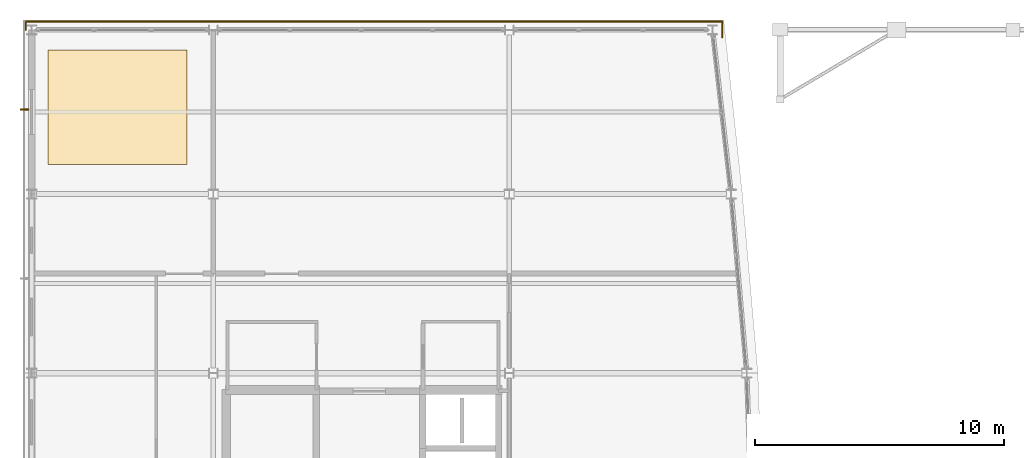
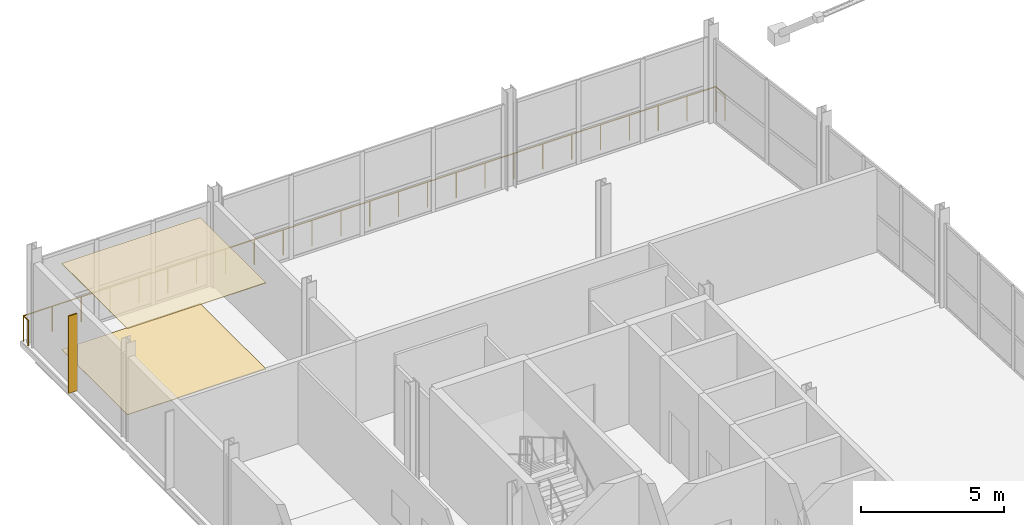
# One storey, part 59 of 60: 2 coverings, 1 railing, 1 shading device.
"""IFC4 building model written with IfcOpenShell, lengths in metres."""

from ifc_helpers import new_model, si_unit, direction, frame, origin, origin_2d, place, context, subcontext, project, spatial, polyline, rectangle, circle, outline, extrude, material, layer, layer_set, type_object, element, save


model = new_model("IFC4")

# Units and contexts
model_context = context("Model", 3, precision=1e-05, world=origin(), true_north=direction((0.0, 1.0)))
body_context = subcontext(model_context, "Body", "Model", "MODEL_VIEW")
ifc_project = project(units=[si_unit("LENGTHUNIT", "METRE"), si_unit("AREAUNIT", "SQUARE_METRE"), si_unit("VOLUMEUNIT", "CUBIC_METRE"), si_unit("PLANEANGLEUNIT", "RADIAN"), si_unit("MASSUNIT", "GRAM", prefix="KILO")], contexts=[model_context])

# Site, building, storey
site_placement = place(None, origin())
site = spatial("IfcSite", under=ifc_project, at=site_placement, CompositionType="ELEMENT")
building_placement = place(site_placement, origin())
building = spatial("IfcBuilding", under=site, at=building_placement, Name="Quillay Park Conservatory", CompositionType="ELEMENT")
storey_placement = place(building_placement, frame((0.0, 0.0, 9.89990234375)))
storey = spatial("IfcBuildingStorey", under=building, at=storey_placement, Name="L02", CompositionType="ELEMENT", Elevation=9.89990234375)

# Coverings
ifc_material_1 = material(Name="Perforated Mineral-Fibre Acoustic Ceiling")
ifc_layer_1 = layer(ifc_material_1, 0.02490234375)
ifc_layer_set_1 = layer_set([ifc_layer_1], Name="ACOUSTIC MINERAL CEILING 25 (Perforated Mineral-Fibre Acoustic Ceiling)")
covering_type_1 = type_object("IfcCoveringType", Name="ACOUSTIC MINERAL CEILING 25", PredefinedType="CEILING", material=ifc_layer_set_1)
covering_1_placement = place(storey_placement, frame((0.0, 0.0, 3.677001953125)))
element("IfcCovering", 1, at=covering_1_placement, inside=storey, type_object=covering_type_1, Name="L02 Suspended Acoustic Ceiling", PredefinedType="CEILING", context=body_context, shape_type="SweptSolid", body=[
    extrude(outline(polyline([(1.199951171875, 108.0), (6.800048828125, 108.0), (6.800048828125, 112.60009765625), (1.199951171875, 112.60009765625), (1.199951171875, 108.0)])), origin(), (0.0, 0.0, 1.0), 0.025146484375),
])
ifc_material_2 = material(Name="Polished Andean Aggregate Terrazzo Flooring")
ifc_layer_2 = layer(ifc_material_2, 0.02197265625)
ifc_layer_set_2 = layer_set([ifc_layer_2], Name="ANDEAN TERRAZZO FLOORING 22 (Polished Andean Aggregate Terrazzo Flooring)")
covering_type_2 = type_object("IfcCoveringType", Name="ANDEAN TERRAZZO FLOORING 22", PredefinedType="FLOORING", material=ifc_layer_set_2)
covering_2_placement = place(storey_placement, origin())
element("IfcCovering", 2, at=covering_2_placement, inside=storey, type_object=covering_type_2, Name="L02 Interior Flooring Finish", PredefinedType="FLOORING", context=body_context, shape_type="SweptSolid", body=[
    extrude(outline(polyline([(1.199951171875, 108.0), (6.800048828125, 108.0), (6.800048828125, 112.60009765625), (1.199951171875, 112.60009765625), (1.199951171875, 108.0)])), origin(), (0.0, 0.0, 1.0), 0.022216796875),
])

# Railing
ifc_material_3 = material(Name="Steel S355J2H", Category="steel")
railing_type = type_object("IfcRailingType", Name="TERRACE PERIMETER GUARDRAIL 1100", PredefinedType="GUARDRAIL", material=ifc_material_3)
railing_placement = place(storey_placement, frame((0.31005859375, 113.39990234375, 0.0)))
element("IfcRailing", 3, at=railing_placement, inside=storey, type_object=railing_type, Name="L02 Perimeter Safety Guardrail 022", PredefinedType="GUARDRAIL", context=body_context, shape_type="SweptSolid", body=[
    extrude(circle(Radius=0.02392578125, at=origin_2d()), frame((0.0, 0.0, 1.076171875), z_axis=(0.0, 1.0, 0.0), x_axis=(-1.0, 0.0, 0.0)), (0.0, 0.0, 1.0), 0.340087890625),
    extrude(circle(Radius=0.02392578125, at=origin_2d()), frame((0.0, 0.340087890625, 1.076171875), z_axis=(1.0, 0.0, 0.0), x_axis=(0.0, 1.0, 0.0)), (0.0, 0.0, 1.0), 28.0048828125),
    extrude(circle(Radius=0.02392578125, at=origin_2d()), frame((28.0048828125, 0.340087890625, 1.076171875), z_axis=(0.0, -1.0, 0.0), x_axis=(1.0, 0.0, 0.0)), (0.0, 0.0, 1.0), 0.639892578125),
    extrude(circle(Radius=0.02099609375, at=origin_2d()), origin(), (0.0, 0.0, 1.0), 1.052001953125),
    extrude(circle(Radius=0.02099609375, at=origin_2d()), frame((0.0, 0.340087890625, 0.0)), (0.0, 0.0, 1.0), 1.052001953125),
    extrude(circle(Radius=0.02099609375, at=origin_2d()), frame((1.1669921875, 0.340087890625, 0.0)), (0.0, 0.0, 1.0), 1.052001953125),
    extrude(circle(Radius=0.02099609375, at=origin_2d()), frame((2.333740234375, 0.340087890625, 0.0)), (0.0, 0.0, 1.0), 1.052001953125),
    extrude(circle(Radius=0.02099609375, at=origin_2d()), frame((3.50048828125, 0.340087890625, 0.0)), (0.0, 0.0, 1.0), 1.052001953125),
    extrude(circle(Radius=0.02099609375, at=origin_2d()), frame((4.66748046875, 0.340087890625, 0.0)), (0.0, 0.0, 1.0), 1.052001953125),
    extrude(circle(Radius=0.02099609375, at=origin_2d()), frame((5.83447265625, 0.340087890625, 0.0)), (0.0, 0.0, 1.0), 1.052001953125),
    extrude(circle(Radius=0.02099609375, at=origin_2d()), frame((7.001220703125, 0.340087890625, 0.0)), (0.0, 0.0, 1.0), 1.052001953125),
    extrude(circle(Radius=0.02099609375, at=origin_2d()), frame((8.16796875, 0.340087890625, 0.0)), (0.0, 0.0, 1.0), 1.052001953125),
    extrude(circle(Radius=0.02099609375, at=origin_2d()), frame((9.3349609375, 0.340087890625, 0.0)), (0.0, 0.0, 1.0), 1.052001953125),
    extrude(circle(Radius=0.02099609375, at=origin_2d()), frame((10.501953125, 0.340087890625, 0.0)), (0.0, 0.0, 1.0), 1.052001953125),
    extrude(circle(Radius=0.02099609375, at=origin_2d()), frame((11.668701171875, 0.340087890625, 0.0)), (0.0, 0.0, 1.0), 1.052001953125),
    extrude(circle(Radius=0.02099609375, at=origin_2d()), frame((12.83544921875, 0.340087890625, 0.0)), (0.0, 0.0, 1.0), 1.052001953125),
    extrude(circle(Radius=0.02099609375, at=origin_2d()), frame((14.00244140625, 0.340087890625, 0.0)), (0.0, 0.0, 1.0), 1.052001953125),
    extrude(circle(Radius=0.02099609375, at=origin_2d()), frame((15.169189453125, 0.340087890625, 0.0)), (0.0, 0.0, 1.0), 1.052001953125),
    extrude(circle(Radius=0.02099609375, at=origin_2d()), frame((16.336181640625, 0.340087890625, 0.0)), (0.0, 0.0, 1.0), 1.052001953125),
    extrude(circle(Radius=0.02099609375, at=origin_2d()), frame((17.5029296875, 0.340087890625, 0.0)), (0.0, 0.0, 1.0), 1.052001953125),
    extrude(circle(Radius=0.02099609375, at=origin_2d()), frame((18.669921875, 0.340087890625, 0.0)), (0.0, 0.0, 1.0), 1.052001953125),
    extrude(circle(Radius=0.02099609375, at=origin_2d()), frame((19.8369140625, 0.340087890625, 0.0)), (0.0, 0.0, 1.0), 1.052001953125),
    extrude(circle(Radius=0.02099609375, at=origin_2d()), frame((21.003662109375, 0.340087890625, 0.0)), (0.0, 0.0, 1.0), 1.052001953125),
    extrude(circle(Radius=0.02099609375, at=origin_2d()), frame((22.17041015625, 0.340087890625, 0.0)), (0.0, 0.0, 1.0), 1.052001953125),
    extrude(circle(Radius=0.02099609375, at=origin_2d()), frame((23.33740234375, 0.340087890625, 0.0)), (0.0, 0.0, 1.0), 1.052001953125),
    extrude(circle(Radius=0.02099609375, at=origin_2d()), frame((24.50439453125, 0.340087890625, 0.0)), (0.0, 0.0, 1.0), 1.052001953125),
    extrude(circle(Radius=0.02099609375, at=origin_2d()), frame((25.671142578125, 0.340087890625, 0.0)), (0.0, 0.0, 1.0), 1.052001953125),
    extrude(circle(Radius=0.02099609375, at=origin_2d()), frame((26.837890625, 0.340087890625, 0.0)), (0.0, 0.0, 1.0), 1.052001953125),
    extrude(circle(Radius=0.02099609375, at=origin_2d()), frame((28.0048828125, 0.340087890625, 0.0)), (0.0, 0.0, 1.0), 1.052001953125),
    extrude(circle(Radius=0.02099609375, at=origin_2d()), frame((28.0048828125, -0.2998046875, 0.0)), (0.0, 0.0, 1.0), 1.052001953125),
])

# Shading device
ifc_material_4 = material(Name="Perforated Copper-Bronze Anodised Aluminium", Category="aluminium")
shading_device_type = type_object("IfcShadingDeviceType", Name="COPPER BRONZE SOLAR FIN", PredefinedType="USERDEFINED", material=ifc_material_4)
shading_device_placement = place(storey_placement, frame((0.2548828125, 110.199951171875, 0.0), z_axis=(0.0, 0.0, 1.0), x_axis=(1.0, 0.0, 0.0)))
element("IfcShadingDevice", 4, at=shading_device_placement, inside=storey, type_object=shading_device_type, Name="L02 Perforated Copper-Bronze Solar Fin 005", ObjectType="SOLAR FIN", PredefinedType="USERDEFINED", context=body_context, shape_type="SweptSolid", body=[
    extrude(rectangle(XDim=0.35009765625, YDim=0.054931640625, at=origin_2d()), origin(), (0.0, 0.0, 1.0), 3.300048828125),
])

save(model, "model.ifc")
